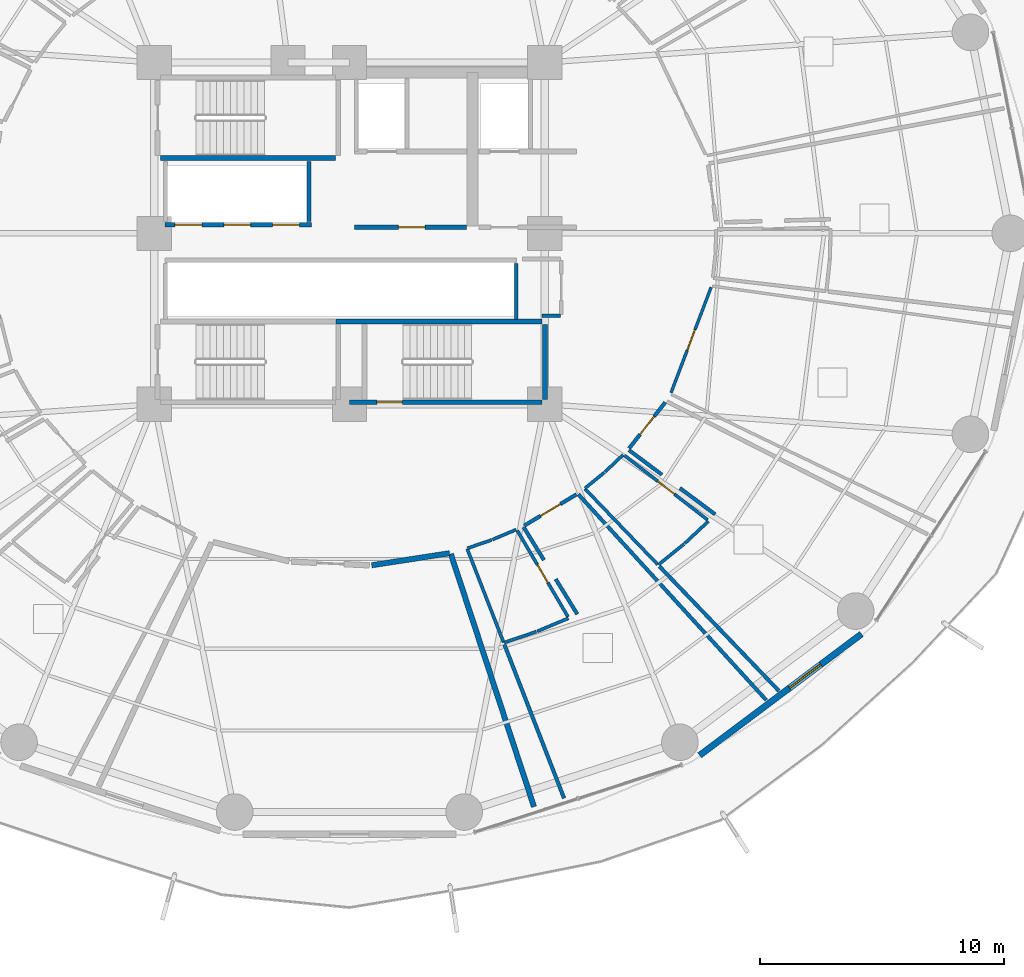
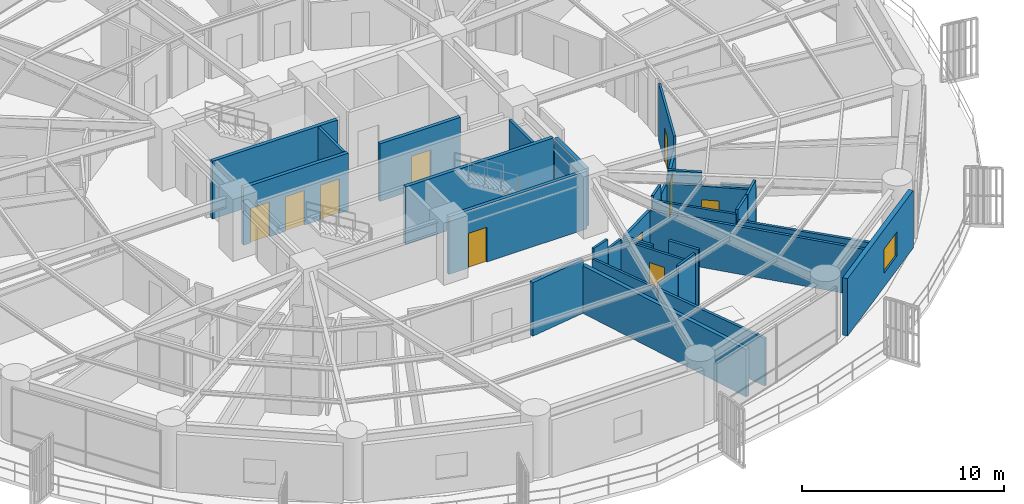
# One storey, part 24 of 33: 34 walls, 10 doors, 1 window, 11 openings.
"""IFC4 building model written with IfcOpenShell, lengths in metres."""

from ifc_helpers import new_model, si_unit, direction, frame, frame_2d, origin, place, context, subcontext, project, spatial, rectangle, extrude, material, layer, layer_set, type_object, element, fill, save


model = new_model("IFC4")

# Units and contexts
model_context = context("Model", 3, precision=1e-05, world=origin(), true_north=direction((0.0, 1.0)))
body_context = subcontext(model_context, "Body", "Model", "MODEL_VIEW")
ifc_project = project(units=[si_unit("LENGTHUNIT", "METRE"), si_unit("AREAUNIT", "SQUARE_METRE"), si_unit("VOLUMEUNIT", "CUBIC_METRE"), si_unit("PLANEANGLEUNIT", "RADIAN"), si_unit("MASSUNIT", "GRAM", prefix="KILO")], contexts=[model_context])

# Site, building, storey
site_placement = place(None, origin())
site = spatial("IfcSite", under=ifc_project, at=site_placement, CompositionType="ELEMENT")
building_placement = place(site_placement, origin())
building = spatial("IfcBuilding", under=site, at=building_placement, Name="Kelanora Arch Commons", CompositionType="ELEMENT")
storey_placement = place(building_placement, frame((0.0, 0.0, 37.5)))
storey = spatial("IfcBuildingStorey", under=building, at=storey_placement, Name="L09", CompositionType="ELEMENT", Elevation=37.5)

# Walls
ifc_material_1 = material(Name="Autoclaved aerated concrete blockwork with fire plaster", Category="masonry")
ifc_layer_1 = layer(ifc_material_1, 0.14990234375)
ifc_layer_set_1 = layer_set([ifc_layer_1], Name="Autoclaved aerated concrete blockwork with fire plaster")
wall_type_1 = type_object("IfcWallType", Name="W-COMP-150", PredefinedType="PARTITIONING", material=ifc_layer_set_1)
wall_1_placement = place(storey_placement, frame((72.340087890625, 58.47998046875, 0.0), z_axis=(0.0, 0.0, 1.0), x_axis=(0.0, 1.0, 0.0)))
element("IfcWall", 1, at=wall_1_placement, inside=storey, type_object=wall_type_1, Name="Low-Rise Lift Bank East Wall L09", PredefinedType="PARTITIONING", context=body_context, shape_type="SweptSolid", body=[
    extrude(rectangle(XDim=2.4599609375, YDim=0.14990234375, at=frame_2d((1.22998046875, 0.0))), origin(), (0.0, 0.0, 1.0), 3.47998046875),
])
wall_2_placement = place(storey_placement, frame((80.840087890625, 54.47998046875, 0.0), z_axis=(0.0, 0.0, 1.0), x_axis=(0.0, 1.0, 0.0)))
element("IfcWall", 2, at=wall_2_placement, inside=storey, type_object=wall_type_1, Name="South Lift Bank East Wall L09", PredefinedType="PARTITIONING", context=body_context, shape_type="SweptSolid", body=[
    extrude(rectangle(XDim=2.2900390625, YDim=0.14990234375, at=frame_2d((1.14501953125, 0.0))), origin(), (0.0, 0.0, 1.0), 3.47998046875),
])

# Wall, opening, door
wall_3_placement = place(storey_placement, frame((81.16845703125, 46.02587890625, 0.0), z_axis=(0.0, 0.0, 1.0), x_axis=(0.858417867387, 0.512951035627, 0.0)))
wall_3 = element("IfcWall", 3, at=wall_3_placement, inside=storey, type_object=wall_type_1, Name="Co-Living Studio L09-01 Entry Partition", PredefinedType="PARTITIONING", context=body_context, shape_type="SweptSolid", body=[
    extrude(rectangle(XDim=2.48828125, YDim=0.14990234375, at=frame_2d((1.244140625, 0.0))), origin(), (0.0, 0.0, 1.0), 2.875),
])
opening_1_placement = place(wall_3_placement, frame((0.76904296875, 0.0, 0.0)))
opening_1 = element("IfcOpeningElement", 4, at=opening_1_placement, cuts=wall_3, Name="Opening D-CLU1", PredefinedType="OPENING", context=body_context, shape_type="SweptSolid", body=[
    extrude(rectangle(XDim=0.949951171875, YDim=2.080078125, at=frame_2d((0.47509765625, 1.0400390625))), frame((0.0, 0.0849609375, 0.0), z_axis=(0.0, -1.0, 0.0), x_axis=(1.0, 0.0, 0.0)), (0.0, 0.0, 1.0), 0.169921875),
])
ifc_material_2 = material(Name="Solid-core acoustic timber cluster entry fire door", Category="wood")
door_type_1 = type_object("IfcDoorType", Name="D-CLU-95", OperationType="NOTDEFINED", PredefinedType="DOOR", material=ifc_material_2)
door_1_placement = place(opening_1_placement, origin())
door_1 = element("IfcDoor", 5, at=door_1_placement, inside=storey, type_object=door_type_1, Name="Co-Living Studio L09-01 Door", OperationType="SINGLE_SWING_RIGHT", OverallHeight=2.080078125, OverallWidth=0.949951171875, PredefinedType="DOOR", context=body_context, shape_type="SweptSolid", body=[
    extrude(rectangle(XDim=0.949951171875, YDim=2.080078125, at=frame_2d((0.47509765625, 1.0400390625))), frame((0.0, 0.02490234375, 0.0), z_axis=(0.0, -1.0, 0.0), x_axis=(1.0, 0.0, 0.0)), (0.0, 0.0, 1.0), 0.050048828125),
])
fill(opening_1, door_1)

wall_4_placement = place(storey_placement, frame((85.458984375, 49.188232421875, 0.0), z_axis=(0.0, 0.0, 1.0), x_axis=(0.617295583742, 0.786731315185, 0.0)))
wall_4 = element("IfcWall", 6, at=wall_4_placement, inside=storey, type_object=wall_type_1, Name="Co-Living Studio L09-02 Entry Partition", PredefinedType="PARTITIONING", context=body_context, shape_type="SweptSolid", body=[
    extrude(rectangle(XDim=2.399169921875, YDim=0.14990234375, at=frame_2d((1.19970703125, 0.0))), origin(), (0.0, 0.0, 1.0), 2.875),
])
opening_2_placement = place(wall_4_placement, frame((0.72509765625, 0.0, 0.0)))
opening_2 = element("IfcOpeningElement", 7, at=opening_2_placement, cuts=wall_4, Name="Opening D-CLU1", PredefinedType="OPENING", context=body_context, shape_type="SweptSolid", body=[
    extrude(rectangle(XDim=0.949951171875, YDim=2.080078125, at=frame_2d((0.47509765625, 1.0400390625))), frame((0.0, 0.0849609375, 0.0), z_axis=(0.0, -1.0, 0.0), x_axis=(1.0, 0.0, 0.0)), (0.0, 0.0, 1.0), 0.169921875),
])
door_2_placement = place(opening_2_placement, origin())
door_2 = element("IfcDoor", 8, at=door_2_placement, inside=storey, type_object=door_type_1, Name="Co-Living Studio L09-02 Door", OperationType="SINGLE_SWING_RIGHT", OverallHeight=2.080078125, OverallWidth=0.949951171875, PredefinedType="DOOR", context=body_context, shape_type="SweptSolid", body=[
    extrude(rectangle(XDim=0.949951171875, YDim=2.080078125, at=frame_2d((0.47509765625, 1.0400390625))), frame((0.0, 0.02490234375, 0.0), z_axis=(0.0, -1.0, 0.0), x_axis=(1.0, 0.0, 0.0)), (0.0, 0.0, 1.0), 0.050048828125),
])
fill(opening_2, door_2)

# Walls
wall_5_placement = place(storey_placement, frame((81.89990234375, 54.6201171875, 0.0), z_axis=(0.0, 0.0, 1.0), x_axis=(1.0, 0.0, 0.0)))
element("IfcWall", 9, at=wall_5_placement, inside=storey, type_object=wall_type_1, Name="Core Housekeeping Store L09 Enclosure Partition 1", PredefinedType="PARTITIONING", context=body_context, shape_type="SweptSolid", body=[
    extrude(rectangle(XDim=0.739990234375, YDim=0.14990234375, at=frame_2d((0.3701171875, 0.0))), origin(), (0.0, 0.0, 1.0), 2.77490234375),
])
wall_6_placement = place(storey_placement, frame((83.383056640625, 47.303466796875, 0.0), z_axis=(0.0, 0.0, 1.0), x_axis=(0.674190259417, -0.738557712103, 0.0)))
element("IfcWall", 10, at=wall_6_placement, inside=storey, type_object=wall_type_1, Name="Co-Living Studio L09-01 Enclosure Partition 2", PredefinedType="PARTITIONING", context=body_context, shape_type="SweptSolid", body=[
    extrude(rectangle(XDim=11.416748046875, YDim=0.14990234375, at=frame_2d((5.70849609375, 0.0))), origin(), (0.0, 0.0, 1.0), 2.875),
])
wall_7_placement = place(storey_placement, frame((82.79541015625, 34.849365234375, 0.0), z_axis=(0.0, 0.0, 1.0), x_axis=(-0.361912521495, 0.93221206106, 0.0)))
element("IfcWall", 11, at=wall_7_placement, inside=storey, type_object=wall_type_1, Name="Co-Living Studio L09-01 Enclosure Partition 5", PredefinedType="PARTITIONING", context=body_context, shape_type="SweptSolid", body=[
    extrude(rectangle(XDim=6.75537109375, YDim=0.14990234375, at=frame_2d((3.377685546875, 0.0))), origin(), (0.0, 0.0, 1.0), 2.875),
])
wall_8_placement = place(storey_placement, frame((83.3359375, 42.39697265625, 0.0), z_axis=(0.0, 0.0, 1.0), x_axis=(-0.524816947244, 0.85121511493, 0.0)))
element("IfcWall", 12, at=wall_8_placement, inside=storey, type_object=wall_type_1, Name="Co-Living Studio L09-01 Enclosure Partition 7", PredefinedType="PARTITIONING", context=body_context, shape_type="SweptSolid", body=[
    extrude(rectangle(XDim=1.6845703125, YDim=0.14990234375, at=frame_2d((0.84228515625, 0.0))), origin(), (0.0, 0.0, 1.0), 3.47998046875),
])
wall_9_placement = place(storey_placement, frame((81.96875, 44.614013671875, 0.0), z_axis=(0.0, 0.0, 1.0), x_axis=(-0.524983702504, 0.851112279376, 0.0)))
element("IfcWall", 13, at=wall_9_placement, inside=storey, type_object=wall_type_1, Name="Co-Living Studio L09-01 Enclosure Partition 7", PredefinedType="PARTITIONING", context=body_context, shape_type="SweptSolid", body=[
    extrude(rectangle(XDim=1.58251953125, YDim=0.14990234375, at=frame_2d((0.791259765625, 0.0))), origin(), (0.0, 0.0, 1.0), 2.875),
])
wall_10_placement = place(storey_placement, frame((91.599365234375, 39.248779296875, 0.0), z_axis=(0.0, 0.0, 1.0), x_axis=(-0.692282424726, 0.721626665538, 0.0)))
element("IfcWall", 14, at=wall_10_placement, inside=storey, type_object=wall_type_1, Name="Co-Living Studio L09-02 Enclosure Partition 5", PredefinedType="PARTITIONING", context=body_context, shape_type="SweptSolid", body=[
    extrude(rectangle(XDim=7.072021484375, YDim=0.14990234375, at=frame_2d((3.5361328125, 0.0))), origin(), (0.0, 0.0, 1.0), 2.875),
])
wall_11_placement = place(storey_placement, frame((88.98583984375, 46.48486328125, 0.0), z_axis=(0.0, 0.0, 1.0), x_axis=(-0.801771878898, 0.597630198542, 0.0)))
element("IfcWall", 15, at=wall_11_placement, inside=storey, type_object=wall_type_1, Name="Co-Living Studio L09-02 Enclosure Partition 7", PredefinedType="PARTITIONING", context=body_context, shape_type="SweptSolid", body=[
    extrude(rectangle(XDim=1.798583984375, YDim=0.14990234375, at=frame_2d((0.8994140625, 0.0))), origin(), (0.0, 0.0, 1.0), 2.875),
])
wall_12_placement = place(storey_placement, frame((86.805908203125, 48.109619140625, 0.0), z_axis=(0.0, 0.0, 1.0), x_axis=(-0.801786232624, 0.597610941311, 0.0)))
element("IfcWall", 16, at=wall_12_placement, inside=storey, type_object=wall_type_1, Name="Co-Living Studio L09-02 Enclosure Partition 7", PredefinedType="PARTITIONING", context=body_context, shape_type="SweptSolid", body=[
    extrude(rectangle(XDim=1.68603515625, YDim=0.14990234375, at=frame_2d((0.843017578125, 0.0))), origin(), (0.0, 0.0, 1.0), 3.47998046875),
])

# Wall, opening, window
ifc_material_3 = material(Name="Precast concrete C40/50 with terracotta rainscreen", Category="masonry")
ifc_layer_2 = layer(ifc_material_3, 0.260009765625)
ifc_layer_set_2 = layer_set([ifc_layer_2], Name="Precast concrete C40/50 with terracotta rainscreen")
wall_type_2 = type_object("IfcWallType", Name="W-EXT-TC", PredefinedType="SOLIDWALL", material=ifc_layer_set_2)
wall_13_placement = place(storey_placement, frame((88.348876953125, 36.61083984375, 0.0), z_axis=(0.0, 0.0, 1.0), x_axis=(0.80030733173, 0.599590005569, 0.0)))
wall_13 = element("IfcWall", 17, at=wall_13_placement, inside=storey, type_object=wall_type_2, Name="Terracotta Exterior Wall L09-B15", PredefinedType="SOLIDWALL", context=body_context, shape_type="SweptSolid", body=[
    extrude(rectangle(XDim=8.29052734375, YDim=0.260009765625, at=frame_2d((4.145263671875, 0.0))), origin(), (0.0, 0.0, 1.0), 3.47509765625),
])
opening_3_placement = place(wall_13_placement, frame((4.60498046875, 0.0, 0.85009765625)))
opening_3 = element("IfcOpeningElement", 18, at=opening_3_placement, cuts=wall_13, Name="Opening WN-01", PredefinedType="OPENING", context=body_context, shape_type="SweptSolid", body=[
    extrude(rectangle(XDim=1.60009765625, YDim=1.449951171875, at=frame_2d((0.800048828125, 0.72509765625))), frame((0.0, 0.14013671875, 0.0), z_axis=(0.0, -1.0, 0.0), x_axis=(1.0, 0.0, 0.0)), (0.0, 0.0, 1.0), 0.280029296875),
])
ifc_material_4 = material(Name="Terracotta-anodised aluminium frame with operable low-E glazing", Category="masonry")
window_type = type_object("IfcWindowType", Name="WIN-CL-18", PartitioningType="DOUBLE_PANEL_VERTICAL", PredefinedType="WINDOW", material=ifc_material_4)
window_placement = place(opening_3_placement, origin())
window = element("IfcWindow", 19, at=window_placement, inside=storey, type_object=window_type, Name="Co-Living Operable Window L09-B15", OverallHeight=1.449951171875, OverallWidth=1.60009765625, PartitioningType="SINGLE_PANEL", PredefinedType="WINDOW", context=body_context, shape_type="SweptSolid", body=[
    extrude(rectangle(XDim=1.60009765625, YDim=1.449951171875, at=frame_2d((0.800048828125, 0.72509765625))), frame((0.0, 0.030029296875, 0.0), z_axis=(0.0, -1.0, 0.0), x_axis=(1.0, 0.0, 0.0)), (0.0, 0.0, 1.0), 0.06005859375),
])
fill(opening_3, window)

# Wall, opening, door
ifc_material_5 = material(Name="Concrete C40/50", Category="concrete")
ifc_layer_3 = layer(ifc_material_5, 0.199951171875)
ifc_layer_set_3 = layer_set([ifc_layer_3], Name="Concrete C40/50")
wall_type_3 = type_object("IfcWallType", Name="W-FFL-200", PredefinedType="SOLIDWALL", material=ifc_layer_set_3)
wall_14_placement = place(storey_placement, frame((74.199951171875, 58.25, 0.0), z_axis=(0.0, 0.0, 1.0), x_axis=(1.0, 0.0, 0.0)))
wall_14 = element("IfcWall", 20, at=wall_14_placement, inside=storey, type_object=wall_type_3, Name="Firefighting Lobby 1 Enclosure Wall L09", PredefinedType="SOLIDWALL", context=body_context, shape_type="SweptSolid", body=[
    extrude(rectangle(XDim=4.60009765625, YDim=0.199951171875, at=frame_2d((2.300048828125, 0.0))), origin(), (0.0, 0.0, 1.0), 3.47998046875),
])
opening_4_placement = place(wall_14_placement, frame((1.800048828125, 0.0, 0.0)))
opening_4 = element("IfcOpeningElement", 21, at=opening_4_placement, cuts=wall_14, Name="Opening D-FFL1", PredefinedType="OPENING", context=body_context, shape_type="SweptSolid", body=[
    extrude(rectangle(XDim=1.10009765625, YDim=2.10009765625, at=frame_2d((0.550048828125, 1.050048828125))), frame((0.0, 0.10986328125, 0.0), z_axis=(0.0, -1.0, 0.0), x_axis=(1.0, 0.0, 0.0)), (0.0, 0.0, 1.0), 0.219970703125),
])
ifc_material_6 = material(Name="Smoke-sealed firefighting lobby fire door")
door_type_2 = type_object("IfcDoorType", Name="D-FFL-110", OperationType="NOTDEFINED", PredefinedType="DOOR", material=ifc_material_6)
door_3_placement = place(opening_4_placement, frame((1.10009765625, 0.0, 0.0), z_axis=(0.0, 0.0, 1.0), x_axis=(-1.0, 0.0, 0.0)))
door_3 = element("IfcDoor", 22, at=door_3_placement, inside=storey, type_object=door_type_2, Name="Firefighting Lobby 1 Door L09", OperationType="SINGLE_SWING_LEFT", OverallHeight=2.10009765625, OverallWidth=1.10009765625, PredefinedType="DOOR", context=body_context, shape_type="SweptSolid", body=[
    extrude(rectangle(XDim=1.10009765625, YDim=2.10009765625, at=frame_2d((0.550048828125, 1.050048828125))), frame((0.0, 0.02490234375, 0.0), z_axis=(0.0, -1.0, 0.0), x_axis=(1.0, 0.0, 0.0)), (0.0, 0.0, 1.0), 0.050048828125),
])
fill(opening_4, door_3)

# Wall, openings, doors
wall_15_placement = place(storey_placement, frame((66.449951171875, 58.35009765625, 0.0), z_axis=(0.0, 0.0, 1.0), x_axis=(1.0, 0.0, 0.0)))
wall_15 = element("IfcWall", 23, at=wall_15_placement, inside=storey, type_object=wall_type_3, Name="Low-Rise Passenger Lift Shaft Front L09", PredefinedType="SOLIDWALL", context=body_context, shape_type="SweptSolid", body=[
    extrude(rectangle(XDim=6.0, YDim=0.199951171875, at=frame_2d((3.0, 0.0))), origin(), (0.0, 0.0, 1.0), 3.47998046875),
])
opening_5_placement = place(wall_15_placement, frame((0.39990234375, 0.0, 0.0)))
opening_5 = element("IfcOpeningElement", 24, at=opening_5_placement, cuts=wall_15, Name="Opening LD-01", PredefinedType="OPENING", context=body_context, shape_type="SweptSolid", body=[
    extrude(rectangle(XDim=1.10009765625, YDim=2.10009765625, at=frame_2d((0.550048828125, 1.050048828125))), frame((0.0, 0.10986328125, 0.0), z_axis=(0.0, -1.0, 0.0), x_axis=(1.0, 0.0, 0.0)), (0.0, 0.0, 1.0), 0.219970703125),
])
opening_6_placement = place(wall_15_placement, frame((2.39990234375, 0.0, 0.0)))
opening_6 = element("IfcOpeningElement", 25, at=opening_6_placement, cuts=wall_15, Name="Opening LD-01", PredefinedType="OPENING", context=body_context, shape_type="SweptSolid", body=[
    extrude(rectangle(XDim=1.10009765625, YDim=2.10009765625, at=frame_2d((0.550048828125, 1.050048828125))), frame((0.0, 0.10986328125, 0.0), z_axis=(0.0, -1.0, 0.0), x_axis=(1.0, 0.0, 0.0)), (0.0, 0.0, 1.0), 0.219970703125),
])
opening_7_placement = place(wall_15_placement, frame((4.39990234375, 0.0, 0.0)))
opening_7 = element("IfcOpeningElement", 26, at=opening_7_placement, cuts=wall_15, Name="Opening LD-01", PredefinedType="OPENING", context=body_context, shape_type="SweptSolid", body=[
    extrude(rectangle(XDim=1.10009765625, YDim=2.10009765625, at=frame_2d((0.550048828125, 1.050048828125))), frame((0.0, 0.10986328125, 0.0), z_axis=(0.0, -1.0, 0.0), x_axis=(1.0, 0.0, 0.0)), (0.0, 0.0, 1.0), 0.219970703125),
])
ifc_material_7 = material(Name="Stainless steel passenger lift sliding landing door", Category="steel")
door_type_3 = type_object("IfcDoorType", Name="D-LIFT-110", OperationType="NOTDEFINED", PredefinedType="DOOR", material=ifc_material_7)
door_4_placement = place(opening_5_placement, origin())
door_4 = element("IfcDoor", 27, at=door_4_placement, inside=storey, type_object=door_type_3, Name="Passenger Lift LF-P1 Landing Door L09", OperationType="DOUBLE_DOOR_SLIDING", OverallHeight=2.10009765625, OverallWidth=1.10009765625, PredefinedType="DOOR", context=body_context, shape_type="SweptSolid", body=[
    extrude(rectangle(XDim=1.10009765625, YDim=2.10009765625, at=frame_2d((0.550048828125, 1.050048828125))), frame((0.0, 0.02490234375, 0.0), z_axis=(0.0, -1.0, 0.0), x_axis=(1.0, 0.0, 0.0)), (0.0, 0.0, 1.0), 0.050048828125),
])
fill(opening_5, door_4)
door_5_placement = place(opening_6_placement, origin())
door_5 = element("IfcDoor", 28, at=door_5_placement, inside=storey, type_object=door_type_3, Name="Passenger Lift LF-P2 Landing Door L09", OperationType="DOUBLE_DOOR_SLIDING", OverallHeight=2.10009765625, OverallWidth=1.10009765625, PredefinedType="DOOR", context=body_context, shape_type="SweptSolid", body=[
    extrude(rectangle(XDim=1.10009765625, YDim=2.10009765625, at=frame_2d((0.550048828125, 1.050048828125))), frame((0.0, 0.02490234375, 0.0), z_axis=(0.0, -1.0, 0.0), x_axis=(1.0, 0.0, 0.0)), (0.0, 0.0, 1.0), 0.050048828125),
])
fill(opening_6, door_5)
door_6_placement = place(opening_7_placement, origin())
door_6 = element("IfcDoor", 29, at=door_6_placement, inside=storey, type_object=door_type_3, Name="Passenger Lift LF-P3 Landing Door L09", OperationType="DOUBLE_DOOR_SLIDING", OverallHeight=2.10009765625, OverallWidth=1.10009765625, PredefinedType="DOOR", context=body_context, shape_type="SweptSolid", body=[
    extrude(rectangle(XDim=1.10009765625, YDim=2.10009765625, at=frame_2d((0.550048828125, 1.050048828125))), frame((0.0, 0.02490234375, 0.0), z_axis=(0.0, -1.0, 0.0), x_axis=(1.0, 0.0, 0.0)), (0.0, 0.0, 1.0), 0.050048828125),
])
fill(opening_7, door_6)

# Wall, opening, door
ifc_material_8 = material(Name="Acoustic twin-stud fire-rated gypsum partition")
ifc_layer_4 = layer(ifc_material_8, 0.1201171875)
ifc_layer_set_4 = layer_set([ifc_layer_4], Name="Acoustic twin-stud fire-rated gypsum partition")
wall_type_4 = type_object("IfcWallType", Name="W-PART-120", PredefinedType="PARTITIONING", material=ifc_layer_set_4)
wall_16_placement = place(storey_placement, frame((87.17919921875, 51.468994140625, 0.0), z_axis=(0.0, 0.0, 1.0), x_axis=(0.355069987825, 0.934839720886, 0.0)))
wall_16 = element("IfcWall", 30, at=wall_16_placement, inside=storey, type_object=wall_type_4, Name="Communal Dining and Social Hall L09-03 Entry Partition", PredefinedType="PARTITIONING", context=body_context, shape_type="SweptSolid", body=[
    extrude(rectangle(XDim=4.619873046875, YDim=0.1201171875, at=frame_2d((2.31005859375, 0.0))), origin(), (0.0, 0.0, 1.0), 3.47998046875),
])
opening_8_placement = place(wall_16_placement, frame((1.860107421875, 0.0, 0.0)))
opening_8 = element("IfcOpeningElement", 31, at=opening_8_placement, cuts=wall_16, Name="Opening D-RM1", PredefinedType="OPENING", context=body_context, shape_type="SweptSolid", body=[
    extrude(rectangle(XDim=0.89990234375, YDim=2.080078125, at=frame_2d((0.449951171875, 1.0400390625))), frame((0.0, 0.070068359375, 0.0), z_axis=(0.0, -1.0, 0.0), x_axis=(1.0, 0.0, 0.0)), (0.0, 0.0, 1.0), 0.14013671875),
])
ifc_material_9 = material(Name="Acoustic fire-rated timber study and lounge door", Category="wood")
door_type_4 = type_object("IfcDoorType", Name="D-ROOM-90", OperationType="NOTDEFINED", PredefinedType="DOOR", material=ifc_material_9)
door_7_placement = place(opening_8_placement, origin())
door_7 = element("IfcDoor", 32, at=door_7_placement, inside=storey, type_object=door_type_4, Name="Communal Dining and Social Hall L09-03 Door", OperationType="SINGLE_SWING_LEFT", OverallHeight=2.080078125, OverallWidth=0.89990234375, PredefinedType="DOOR", context=body_context, shape_type="SweptSolid", body=[
    extrude(rectangle(XDim=0.89990234375, YDim=2.080078125, at=frame_2d((0.449951171875, 1.0400390625))), frame((0.0, 0.02490234375, 0.0), z_axis=(0.0, -1.0, 0.0), x_axis=(1.0, 0.0, 0.0)), (0.0, 0.0, 1.0), 0.050048828125),
])
fill(opening_8, door_7)

# Walls
ifc_layer_5 = layer(ifc_material_5, 0.219970703125)
ifc_layer_set_5 = layer_set([ifc_layer_5], Name="Concrete C40/50")
wall_type_5 = type_object("IfcWallType", Name="W-REF-200", PredefinedType="SOLIDWALL", material=ifc_layer_set_5)
wall_17_placement = place(storey_placement, frame((74.91357421875, 44.399169921875, 0.0), z_axis=(0.0, 0.0, 1.0), x_axis=(0.988282336333, 0.152636901479, 0.0)))
element("IfcWall", 33, at=wall_17_placement, inside=storey, type_object=wall_type_5, Name="Two-Hour Fire Refuge Holding Room L09 Enclosure Partition 3", PredefinedType="SOLIDWALL", context=body_context, shape_type="SweptSolid", body=[
    extrude(rectangle(XDim=3.227783203125, YDim=0.219970703125, at=frame_2d((1.61376953125, 0.0))), origin(), (0.0, 0.0, 1.0), 3.235107421875),
])
wall_18_placement = place(storey_placement, frame((78.155517578125, 44.860107421875, 0.0), z_axis=(0.0, 0.0, 1.0), x_axis=(0.312563345706, -0.94989691805, 0.0)))
element("IfcWall", 34, at=wall_18_placement, inside=storey, type_object=wall_type_5, Name="Two-Hour Fire Refuge Holding Room L09 Enclosure Partition 4", PredefinedType="SOLIDWALL", context=body_context, shape_type="SweptSolid", body=[
    extrude(rectangle(XDim=10.900146484375, YDim=0.219970703125, at=frame_2d((5.4501953125, 0.0))), origin(), (0.0, 0.0, 1.0), 2.875),
])
ifc_layer_6 = layer(ifc_material_5, 0.199951171875)
ifc_layer_set_6 = layer_set([ifc_layer_6], Name="Concrete C40/50")
wall_type_6 = type_object("IfcWallType", Name="W-STAIR-200", PredefinedType="SHEAR", material=ifc_layer_set_6)
wall_19_placement = place(storey_placement, frame((66.260009765625, 61.080078125, 0.0), z_axis=(0.0, 0.0, 1.0), x_axis=(1.0, 0.0, 0.0)))
element("IfcWall", 35, at=wall_19_placement, inside=storey, type_object=wall_type_6, Name="Stair ST-T1 Shaft Wall S L09", PredefinedType="SHEAR", context=body_context, shape_type="SweptSolid", body=[
    extrude(rectangle(XDim=7.159912109375, YDim=0.199951171875, at=frame_2d((3.580078125, 0.0))), origin(), (0.0, 0.0, 1.0), 3.489990234375),
])

# Wall, opening, door
wall_20_placement = place(storey_placement, frame((74.0, 51.080078125, 0.0), z_axis=(0.0, 0.0, 1.0), x_axis=(1.0, 0.0, 0.0)))
wall_20 = element("IfcWall", 36, at=wall_20_placement, inside=storey, type_object=wall_type_6, Name="Stair ST-T2 Shaft Wall S L09", PredefinedType="SHEAR", context=body_context, shape_type="SweptSolid", body=[
    extrude(rectangle(XDim=7.89990234375, YDim=0.199951171875, at=frame_2d((3.949951171875, 0.0))), origin(), (0.0, 0.0, 1.0), 3.489990234375),
])
opening_9_placement = place(wall_20_placement, frame((1.1201171875, 0.0, 0.0)))
opening_9 = element("IfcOpeningElement", 37, at=opening_9_placement, cuts=wall_20, Name="Opening D-ST1", PredefinedType="OPENING", context=body_context, shape_type="SweptSolid", body=[
    extrude(rectangle(XDim=1.050048828125, YDim=2.10009765625, at=frame_2d((0.52490234375, 1.050048828125))), frame((0.0, 0.10986328125, 0.0), z_axis=(0.0, -1.0, 0.0), x_axis=(1.0, 0.0, 0.0)), (0.0, 0.0, 1.0), 0.219970703125),
])
ifc_material_10 = material(Name="Steel fire-rated stairwell escape door", Category="steel")
door_type_5 = type_object("IfcDoorType", Name="D-STAIR-110", OperationType="NOTDEFINED", PredefinedType="DOOR", material=ifc_material_10)
door_8_placement = place(opening_9_placement, origin())
door_8 = element("IfcDoor", 38, at=door_8_placement, inside=storey, type_object=door_type_5, Name="Stair ST-T2 Escape Door L09", OperationType="SINGLE_SWING_LEFT", OverallHeight=2.10009765625, OverallWidth=1.050048828125, PredefinedType="DOOR", context=body_context, shape_type="SweptSolid", body=[
    extrude(rectangle(XDim=1.050048828125, YDim=2.10009765625, at=frame_2d((0.52490234375, 1.050048828125))), frame((0.0, 0.02490234375, 0.0), z_axis=(0.0, -1.0, 0.0), x_axis=(1.0, 0.0, 0.0)), (0.0, 0.0, 1.0), 0.050048828125),
])
fill(opening_9, door_8)

# Walls
wall_21_placement = place(storey_placement, frame((82.02001953125, 51.199951171875, 0.0), z_axis=(0.0, 0.0, 1.0), x_axis=(0.0, 1.0, 0.0)))
element("IfcWall", 39, at=wall_21_placement, inside=storey, type_object=wall_type_6, Name="Stair ST-T2 Shaft Wall E L09", PredefinedType="SHEAR", context=body_context, shape_type="SweptSolid", body=[
    extrude(rectangle(XDim=3.070068359375, YDim=0.199951171875, at=frame_2d((1.53515625, 0.0))), origin(), (0.0, 0.0, 1.0), 3.489990234375),
])
wall_22_placement = place(storey_placement, frame((81.89990234375, 54.389892578125, 0.0), z_axis=(0.0, 0.0, 1.0), x_axis=(-1.0, 0.0, 0.0)))
element("IfcWall", 40, at=wall_22_placement, inside=storey, type_object=wall_type_6, Name="Stair ST-T2 Shaft Wall N L09", PredefinedType="SHEAR", context=body_context, shape_type="SweptSolid", body=[
    extrude(rectangle(XDim=8.4599609375, YDim=0.199951171875, at=frame_2d((4.22998046875, 0.0))), origin(), (0.0, 0.0, 1.0), 3.489990234375),
])

# Wall, opening, door
ifc_material_11 = material(Name="Moisture-resistant fire-rated cement-board plumbing wall")
ifc_layer_7 = layer(ifc_material_11, 0.1298828125)
ifc_layer_set_7 = layer_set([ifc_layer_7], Name="Moisture-resistant fire-rated cement-board plumbing wall")
wall_type_7 = type_object("IfcWallType", Name="W-WET-120", PredefinedType="PLUMBINGWALL", material=ifc_layer_set_7)
wall_23_placement = place(storey_placement, frame((80.88037109375, 45.81640625, 0.0), z_axis=(0.0, 0.0, 1.0), x_axis=(0.506780508638, -0.862075122054, 0.0)))
wall_23 = element("IfcWall", 41, at=wall_23_placement, inside=storey, type_object=wall_type_7, Name="En-Suite Shower WC L09-01 Entry Partition", PredefinedType="PLUMBINGWALL", context=body_context, shape_type="SweptSolid", body=[
    extrude(rectangle(XDim=4.0966796875, YDim=0.1298828125, at=frame_2d((2.04833984375, 0.0))), origin(), (0.0, 0.0, 1.0), 2.875),
])
opening_10_placement = place(wall_23_placement, frame((1.617919921875, 0.0, 0.0)))
opening_10 = element("IfcOpeningElement", 42, at=opening_10_placement, cuts=wall_23, Name="Opening D-BT1", PredefinedType="OPENING", context=body_context, shape_type="SweptSolid", body=[
    extrude(rectangle(XDim=0.860107421875, YDim=2.050048828125, at=frame_2d((0.43017578125, 1.02490234375))), frame((0.0, 0.074951171875, 0.0), z_axis=(0.0, -1.0, 0.0), x_axis=(1.0, 0.0, 0.0)), (0.0, 0.0, 1.0), 0.14990234375),
])
ifc_material_12 = material(Name="Moisture-sealed fire-rated accessible bathroom door")
door_type_6 = type_object("IfcDoorType", Name="D-BATH-85", OperationType="NOTDEFINED", PredefinedType="DOOR", material=ifc_material_12)
door_9_placement = place(opening_10_placement, origin())
door_9 = element("IfcDoor", 43, at=door_9_placement, inside=storey, type_object=door_type_6, Name="En-Suite Shower WC L09-01 Door", OperationType="SINGLE_SWING_LEFT", OverallHeight=2.050048828125, OverallWidth=0.860107421875, PredefinedType="DOOR", context=body_context, shape_type="SweptSolid", body=[
    extrude(rectangle(XDim=0.860107421875, YDim=2.050048828125, at=frame_2d((0.43017578125, 1.02490234375))), frame((0.0, 0.02490234375, 0.0), z_axis=(0.0, -1.0, 0.0), x_axis=(1.0, 0.0, 0.0)), (0.0, 0.0, 1.0), 0.050048828125),
])
fill(opening_10, door_9)

wall_24_placement = place(storey_placement, frame((85.271484375, 48.898193359375, 0.0), z_axis=(0.0, 0.0, 1.0), x_axis=(0.790415052175, -0.612571665436, 0.0)))
wall_24 = element("IfcWall", 44, at=wall_24_placement, inside=storey, type_object=wall_type_7, Name="En-Suite Shower WC L09-02 Entry Partition", PredefinedType="PLUMBINGWALL", context=body_context, shape_type="SweptSolid", body=[
    extrude(rectangle(XDim=4.31201171875, YDim=0.1298828125, at=frame_2d((2.156005859375, 0.0))), origin(), (0.0, 0.0, 1.0), 2.875),
])
opening_11_placement = place(wall_24_placement, frame((1.72607421875, 0.0, 0.0)))
opening_11 = element("IfcOpeningElement", 45, at=opening_11_placement, cuts=wall_24, Name="Opening D-BT1", PredefinedType="OPENING", context=body_context, shape_type="SweptSolid", body=[
    extrude(rectangle(XDim=0.860107421875, YDim=2.050048828125, at=frame_2d((0.43017578125, 1.02490234375))), frame((0.0, 0.074951171875, 0.0), z_axis=(0.0, -1.0, 0.0), x_axis=(1.0, 0.0, 0.0)), (0.0, 0.0, 1.0), 0.14990234375),
])
door_10_placement = place(opening_11_placement, origin())
door_10 = element("IfcDoor", 46, at=door_10_placement, inside=storey, type_object=door_type_6, Name="En-Suite Shower WC L09-02 Door", OperationType="SINGLE_SWING_LEFT", OverallHeight=2.050048828125, OverallWidth=0.860107421875, PredefinedType="DOOR", context=body_context, shape_type="SweptSolid", body=[
    extrude(rectangle(XDim=0.860107421875, YDim=2.050048828125, at=frame_2d((0.43017578125, 1.02490234375))), frame((0.0, 0.02490234375, 0.0), z_axis=(0.0, -1.0, 0.0), x_axis=(1.0, 0.0, 0.0)), (0.0, 0.0, 1.0), 0.050048828125),
])
fill(opening_11, door_10)

# Walls
wall_25_placement = place(storey_placement, frame((78.837890625, 45.096435546875, 0.0), z_axis=(0.0, 0.0, 1.0), x_axis=(0.94549887916, 0.325625351451, 0.0)))
element("IfcWall", 47, at=wall_25_placement, inside=storey, type_object=wall_type_7, Name="En-Suite Shower WC L09-01 Enclosure Partition 1", PredefinedType="PLUMBINGWALL", context=body_context, shape_type="SweptSolid", body=[
    extrude(rectangle(XDim=1.05029296875, YDim=0.1298828125, at=frame_2d((0.525146484375, 0.0))), origin(), (0.0, 0.0, 1.0), 3.47998046875),
])
wall_26_placement = place(storey_placement, frame((79.868408203125, 45.452880859375, 0.0), z_axis=(0.0, 0.0, 1.0), x_axis=(0.921054231529, 0.389434336677, 0.0)))
element("IfcWall", 48, at=wall_26_placement, inside=storey, type_object=wall_type_7, Name="En-Suite Shower WC L09-01 Enclosure Partition 2", PredefinedType="PLUMBINGWALL", context=body_context, shape_type="SweptSolid", body=[
    extrude(rectangle(XDim=1.045654296875, YDim=0.1298828125, at=frame_2d((0.52294921875, 0.0))), origin(), (0.0, 0.0, 1.0), 2.875),
])
wall_27_placement = place(storey_placement, frame((82.968505859375, 42.225341796875, 0.0), z_axis=(0.0, 0.0, 1.0), x_axis=(-0.922358986458, -0.38633392305, 0.0)))
element("IfcWall", 49, at=wall_27_placement, inside=storey, type_object=wall_type_7, Name="En-Suite Shower WC L09-01 Enclosure Partition 4", PredefinedType="PLUMBINGWALL", context=body_context, shape_type="SweptSolid", body=[
    extrude(rectangle(XDim=1.38134765625, YDim=0.1298828125, at=frame_2d((0.690673828125, 0.0))), origin(), (0.0, 0.0, 1.0), 3.47998046875),
])
wall_28_placement = place(storey_placement, frame((81.656982421875, 41.677490234375, 0.0), z_axis=(0.0, 0.0, 1.0), x_axis=(-0.946374749486, -0.323070941954, 0.0)))
element("IfcWall", 50, at=wall_28_placement, inside=storey, type_object=wall_type_7, Name="En-Suite Shower WC L09-01 Enclosure Partition 5", PredefinedType="PLUMBINGWALL", context=body_context, shape_type="SweptSolid", body=[
    extrude(rectangle(XDim=1.3896484375, YDim=0.1298828125, at=frame_2d((0.69482421875, 0.0))), origin(), (0.0, 0.0, 1.0), 3.175048828125),
])
wall_29_placement = place(storey_placement, frame((80.31591796875, 41.240478515625, 0.0), z_axis=(0.0, 0.0, 1.0), x_axis=(-0.362443394787, 0.932005786235, 0.0)))
element("IfcWall", 51, at=wall_29_placement, inside=storey, type_object=wall_type_7, Name="En-Suite Shower WC L09-01 Enclosure Partition 6", PredefinedType="PLUMBINGWALL", context=body_context, shape_type="SweptSolid", body=[
    extrude(rectangle(XDim=4.1103515625, YDim=0.1298828125, at=frame_2d((2.05517578125, 0.0))), origin(), (0.0, 0.0, 1.0), 2.875),
])
wall_30_placement = place(storey_placement, frame((83.656494140625, 47.556640625, 0.0), z_axis=(0.0, 0.0, 1.0), x_axis=(0.774821757106, 0.632179756648, 0.0)))
element("IfcWall", 52, at=wall_30_placement, inside=storey, type_object=wall_type_7, Name="En-Suite Shower WC L09-02 Enclosure Partition 1", PredefinedType="PLUMBINGWALL", context=body_context, shape_type="SweptSolid", body=[
    extrude(rectangle(XDim=1.018310546875, YDim=0.1298828125, at=frame_2d((0.50927734375, 0.0))), origin(), (0.0, 0.0, 1.0), 3.47998046875),
])
wall_31_placement = place(storey_placement, frame((84.4755859375, 48.226806640625, 0.0), z_axis=(0.0, 0.0, 1.0), x_axis=(0.726289091807, 0.687389376644, 0.0)))
element("IfcWall", 53, at=wall_31_placement, inside=storey, type_object=wall_type_7, Name="En-Suite Shower WC L09-02 Enclosure Partition 2", PredefinedType="PLUMBINGWALL", context=body_context, shape_type="SweptSolid", body=[
    extrude(rectangle(XDim=1.010498046875, YDim=0.1298828125, at=frame_2d((0.50537109375, 0.0))), origin(), (0.0, 0.0, 1.0), 2.875),
])
wall_32_placement = place(storey_placement, frame((88.71240234375, 46.206298828125, 0.0), z_axis=(0.0, 0.0, 1.0), x_axis=(-0.729371491019, -0.684117846638, 0.0)))
element("IfcWall", 54, at=wall_32_placement, inside=storey, type_object=wall_type_7, Name="En-Suite Shower WC L09-02 Enclosure Partition 4", PredefinedType="PLUMBINGWALL", context=body_context, shape_type="SweptSolid", body=[
    extrude(rectangle(XDim=1.33251953125, YDim=0.1298828125, at=frame_2d((0.666259765625, 0.0))), origin(), (0.0, 0.0, 1.0), 3.47998046875),
])
wall_33_placement = place(storey_placement, frame((87.71044921875, 45.268310546875, 0.0), z_axis=(0.0, 0.0, 1.0), x_axis=(-0.777667827493, -0.628675393254, 0.0)))
element("IfcWall", 55, at=wall_33_placement, inside=storey, type_object=wall_type_7, Name="En-Suite Shower WC L09-02 Enclosure Partition 5", PredefinedType="PLUMBINGWALL", context=body_context, shape_type="SweptSolid", body=[
    extrude(rectangle(XDim=1.34375, YDim=0.1298828125, at=frame_2d((0.671875, 0.0))), origin(), (0.0, 0.0, 1.0), 3.47998046875),
])
wall_34_placement = place(storey_placement, frame((86.635986328125, 44.42529296875, 0.0), z_axis=(0.0, 0.0, 1.0), x_axis=(-0.692667606139, 0.721256949641, 0.0)))
element("IfcWall", 56, at=wall_34_placement, inside=storey, type_object=wall_type_7, Name="En-Suite Shower WC L09-02 Enclosure Partition 6", PredefinedType="PLUMBINGWALL", context=body_context, shape_type="SweptSolid", body=[
    extrude(rectangle(XDim=4.303955078125, YDim=0.1298828125, at=frame_2d((2.15185546875, 0.0))), origin(), (0.0, 0.0, 1.0), 3.235107421875),
])

save(model, "model.ifc")
